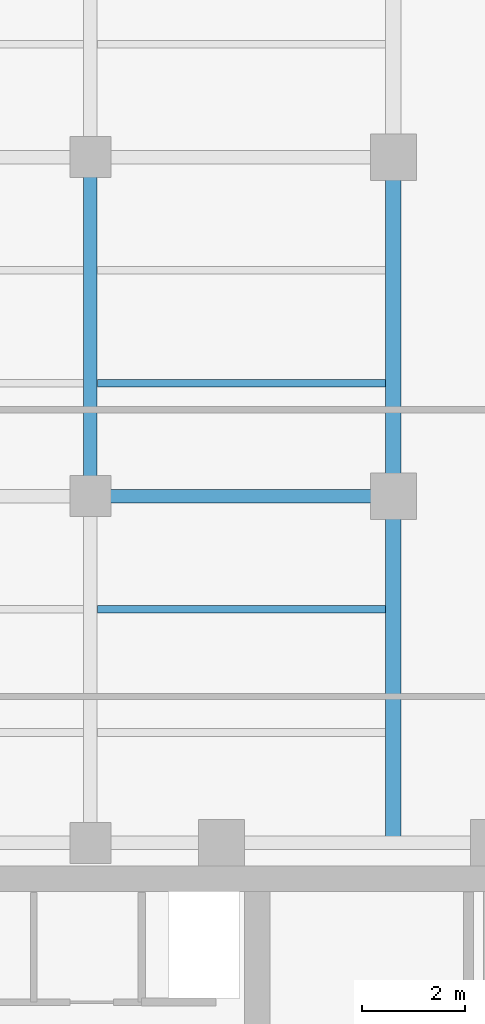
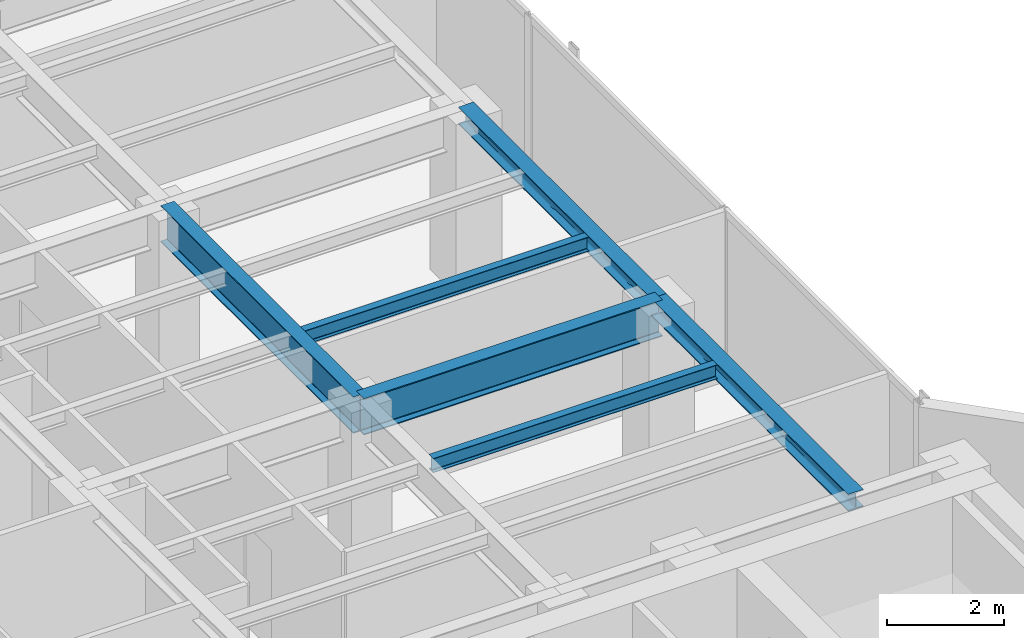
# One storey, part 8 of 23: 6 beams.
"""IFC4 building model written with IfcOpenShell, lengths in metres."""

from ifc_helpers import new_model, si_unit, direction, frame, origin, origin_2d, place, context, subcontext, project, spatial, i_section, extrude, material, material_profile, profile_set, type_object, element, save


model = new_model("IFC4")

# Units and contexts
model_context = context("Model", 3, precision=1e-05, world=origin(), true_north=direction((0.0, 1.0)))
body_context = subcontext(model_context, "Body", "Model", "MODEL_VIEW")
ifc_project = project(units=[si_unit("LENGTHUNIT", "METRE"), si_unit("AREAUNIT", "SQUARE_METRE"), si_unit("VOLUMEUNIT", "CUBIC_METRE"), si_unit("PLANEANGLEUNIT", "RADIAN"), si_unit("MASSUNIT", "GRAM", prefix="KILO")], contexts=[model_context])

# Site, building, storey
site_placement = place(None, origin())
site = spatial("IfcSite", under=ifc_project, at=site_placement, CompositionType="ELEMENT")
building_placement = place(site_placement, origin())
building = spatial("IfcBuilding", under=site, at=building_placement, Name="Kolvaren Waterfront Exchange", CompositionType="ELEMENT")
storey_placement = place(building_placement, frame((0.0, 0.0, 289.39990234375)))
storey = spatial("IfcBuildingStorey", under=building, at=storey_placement, Name="L74", CompositionType="ELEMENT", Elevation=289.39990234375)

# Beams
ifc_material = material(Name="Steel S355", Category="steel")
ifc_material_profile_1 = material_profile(ifc_material, i_section(OverallWidth=0.300048828125, OverallDepth=0.360107421875, WebThickness=0.012451171875, FlangeThickness=0.0224609375, FilletRadius=0.027099609375, at=origin_2d()), Name="HEB360")
ifc_profile_set_1 = profile_set([ifc_material_profile_1], Name="Steel S355")
beam_type_1 = type_object("IfcBeamType", Name="STR-BM-HEB360", PredefinedType="SPANDREL", material=ifc_profile_set_1)
beam_1_placement = place(storey_placement, frame((18.800048828125, 24.449951171875, 3.380126953125), z_axis=(0.0, 1.0, 0.0), x_axis=(-1.0, 0.0, 0.0)))
element("IfcBeam", 1, at=beam_1_placement, inside=storey, type_object=beam_type_1, Name="L74 north-arm edge beam 1", PredefinedType="SPANDREL", context=body_context, shape_type="SweptSolid", body=[
    extrude(i_section(OverallWidth=0.300048828125, OverallDepth=0.360107421875, WebThickness=0.012451171875, FlangeThickness=0.0224609375, FilletRadius=0.027099609375, at=origin_2d()), origin(), (0.0, 0.0, 1.0), 6.75),
])
beam_2_placement = place(storey_placement, frame((18.800048828125, 31.199951171875, 3.380126953125), z_axis=(0.0, 1.0, 0.0), x_axis=(-1.0, 0.0, 0.0)))
element("IfcBeam", 2, at=beam_2_placement, inside=storey, type_object=beam_type_1, Name="L74 north-arm edge beam 2", PredefinedType="SPANDREL", context=body_context, shape_type="SweptSolid", body=[
    extrude(i_section(OverallWidth=0.300048828125, OverallDepth=0.360107421875, WebThickness=0.012451171875, FlangeThickness=0.0224609375, FilletRadius=0.027099609375, at=origin_2d()), origin(), (0.0, 0.0, 1.0), 6.60009765625),
])
ifc_material_profile_2 = material_profile(ifc_material, i_section(OverallWidth=0.14990234375, OverallDepth=0.300048828125, WebThickness=0.007080078125, FlangeThickness=0.0107421875, FilletRadius=0.014892578125, at=origin_2d()), Name="IPE300")
ifc_profile_set_2 = profile_set([ifc_material_profile_2], Name="Steel S355")
beam_type_2 = type_object("IfcBeamType", Name="STR-BM-IPE300", PredefinedType="JOIST", material=ifc_profile_set_2)
for number, where, z_axis, x_axis, name in (
    (3, (13.035400390625, 29.0, 3.41015625), (1.0, 0.0, 0.0), (0.0, 1.0, 0.0), "L74 north-arm composite joist 2B"),
    (4, (13.035400390625, 33.39990234375, 3.41015625), (1.0, 0.0, 0.0), (0.0, 1.0, 0.0), "L74 north-arm composite joist 3B"),
):
    element("IfcBeam", number, at=place(storey_placement, frame(where, z_axis=z_axis, x_axis=x_axis)), inside=storey, type_object=beam_type_2, Name=name, PredefinedType="JOIST", context=body_context, shape_type="SweptSolid", body=[
        extrude(i_section(OverallWidth=0.14990234375, OverallDepth=0.300048828125, WebThickness=0.007080078125, FlangeThickness=0.0107421875, FilletRadius=0.014892578125, at=origin_2d()), origin(), (0.0, 0.0, 1.0), 5.612548828125),
    ])
ifc_material_profile_3 = material_profile(ifc_material, i_section(OverallWidth=0.26708984375, OverallDepth=0.761962890625, WebThickness=0.014404296875, FlangeThickness=0.021484375, FilletRadius=0.01708984375, at=origin_2d()), Name="IPE750x173")
ifc_profile_set_3 = profile_set([ifc_material_profile_3], Name="Steel S355")
beam_type_3 = type_object("IfcBeamType", Name="STR-BM-IPE750", PredefinedType="BEAM", material=ifc_profile_set_3)
beam_3_placement = place(storey_placement, frame((12.89990234375, 31.199951171875, 3.17919921875), z_axis=(1.0, 0.0, 0.0), x_axis=(0.0, 1.0, 0.0)))
element("IfcBeam", 5, at=beam_3_placement, inside=storey, type_object=beam_type_3, Name="L74 north-arm girder 2B", PredefinedType="BEAM", context=body_context, shape_type="SweptSolid", body=[
    extrude(i_section(OverallWidth=0.26708984375, OverallDepth=0.761962890625, WebThickness=0.014404296875, FlangeThickness=0.021484375, FilletRadius=0.01708984375, at=origin_2d()), origin(), (0.0, 0.0, 1.0), 5.900146484375),
])
beam_4_placement = place(storey_placement, frame((12.89990234375, 31.199951171875, 3.17919921875), z_axis=(0.0, 1.0, 0.0), x_axis=(-1.0, 0.0, 0.0)))
element("IfcBeam", 6, at=beam_4_placement, inside=storey, type_object=beam_type_3, Name="L74 north-arm edge beam 2", PredefinedType="BEAM", context=body_context, shape_type="SweptSolid", body=[
    extrude(i_section(OverallWidth=0.26708984375, OverallDepth=0.761962890625, WebThickness=0.014404296875, FlangeThickness=0.021484375, FilletRadius=0.01708984375, at=origin_2d()), origin(), (0.0, 0.0, 1.0), 6.60009765625),
])

save(model, "model.ifc")
